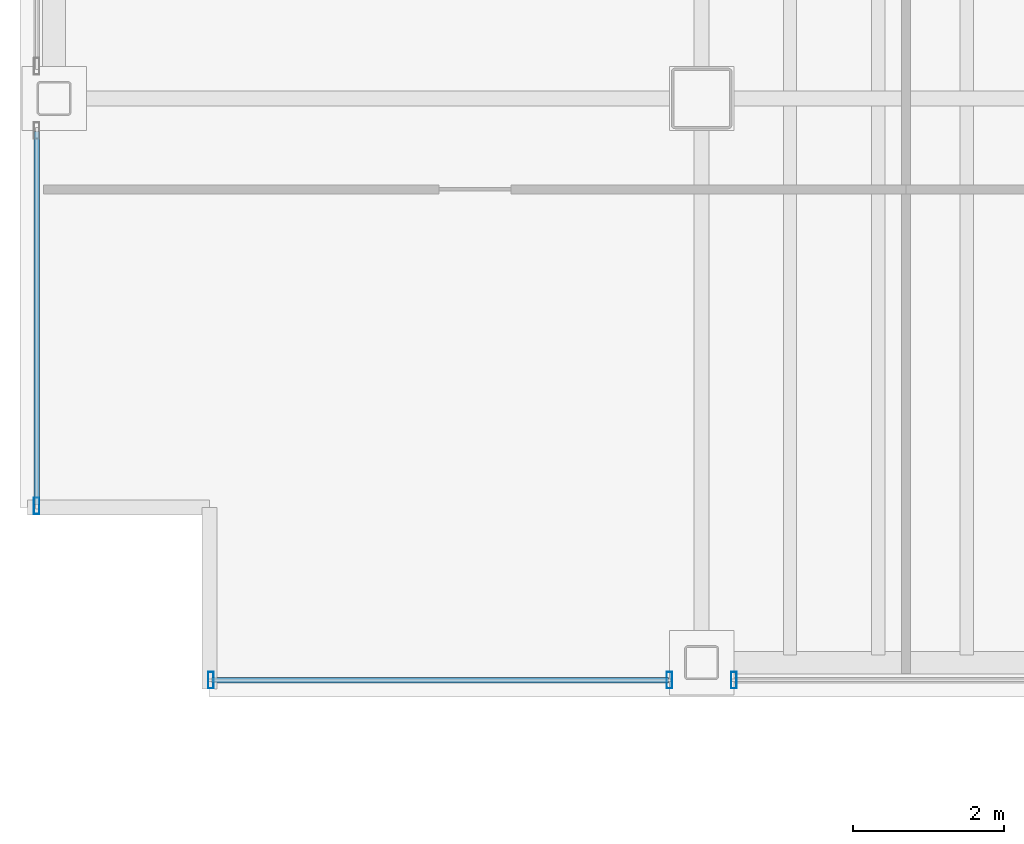
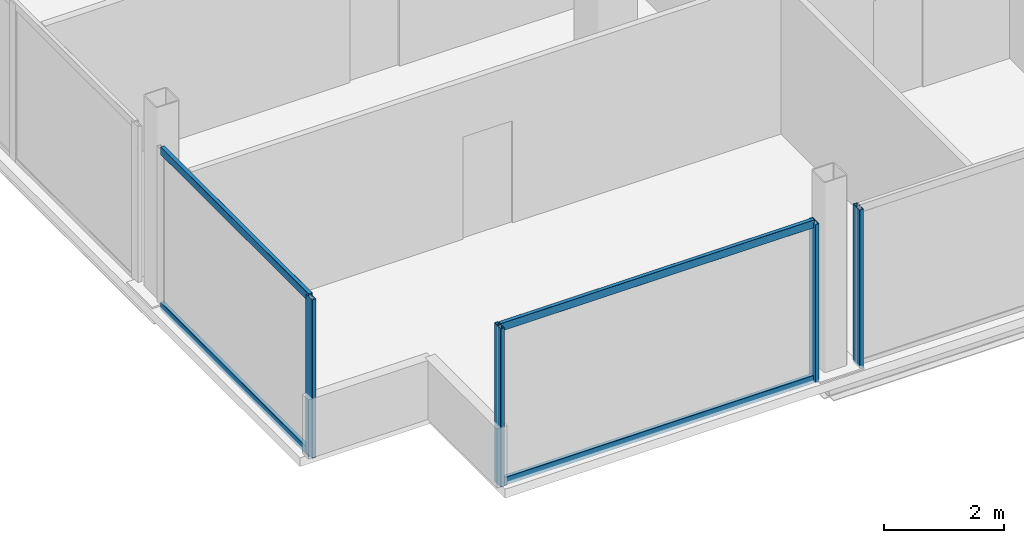
# One storey, part 2 of 17: 8 members, 3 elements without a shape of their own.
"""IFC4 building model written with IfcOpenShell, lengths in metres."""

from ifc_helpers import new_model, si_unit, direction, frame, origin, origin_2d, place, context, subcontext, project, spatial, hollow_rectangle, extrude, material, material_profile, profile_set, type_object, element, aggregate, save


model = new_model("IFC4")

# Units and contexts
model_context = context("Model", 3, precision=1e-05, world=origin(), true_north=direction((0.0, 1.0)))
body_context = subcontext(model_context, "Body", "Model", "MODEL_VIEW")
ifc_project = project(units=[si_unit("LENGTHUNIT", "METRE"), si_unit("AREAUNIT", "SQUARE_METRE"), si_unit("VOLUMEUNIT", "CUBIC_METRE"), si_unit("PLANEANGLEUNIT", "RADIAN"), si_unit("MASSUNIT", "GRAM", prefix="KILO")], contexts=[model_context])

# Site, building, storey
site_placement = place(None, origin())
site = spatial("IfcSite", under=ifc_project, at=site_placement, CompositionType="ELEMENT")
building_placement = place(site_placement, origin())
building = spatial("IfcBuilding", under=site, at=building_placement, Name="Noeulbin Bourse Tower", CompositionType="ELEMENT")
storey_placement = place(building_placement, frame((0.0, 0.0, 242.300048828125)))
storey = spatial("IfcBuildingStorey", under=building, at=storey_placement, Name="L60", CompositionType="ELEMENT", Elevation=242.300048828125)

# Curtain wall, members
ifc_material_1 = material(Name="High-Selectivity Low-Iron Glazing", Category="glass")
curtain_wall_type = type_object("IfcCurtainWallType", Name="CW-SYS-4", PredefinedType="NOTDEFINED", material=ifc_material_1)
curtain_wall_1_placement = place(storey_placement, origin())
curtain_wall_1 = element("IfcCurtainWall", 1, at=curtain_wall_1_placement, inside=storey, type_object=curtain_wall_type, Name="Unitised Curtain Wall CW-L60-S1-S1", PredefinedType="NOTDEFINED")
ifc_material_2 = material(Name="Anodised Aluminium 6063-T6", Category="aluminium")
ifc_material_profile_1 = material_profile(ifc_material_2, hollow_rectangle(XDim=0.074951171875, YDim=0.219970703125, WallThickness=0.0048828125, InnerFilletRadius=0.00244140625, OuterFilletRadius=0.0048828125, at=origin_2d()), Name="ALU-MULL-75x220x5", Category="LoadBearing")
ifc_profile_set_1 = profile_set([ifc_material_profile_1], Name="Anodised Aluminium 6063-T6")
member_type_1 = type_object("IfcMemberType", Name="CW-SYS-4-MUL", PredefinedType="MULLION", material=ifc_profile_set_1)
member_1_placement = place(storey_placement, frame((7.02001953125, 12.320068359375, -0.02001953125), z_axis=(0.0, 0.0, 1.0), x_axis=(1.0, 0.0, 0.0)))
member_1 = element("IfcMember", 2, at=member_1_placement, type_object=member_type_1, Name="Curtain Wall Mullion CW-L60-S1-S1-M00", PredefinedType="MULLION", context=body_context, shape_type="SweptSolid", body=[
    extrude(hollow_rectangle(XDim=0.074951171875, YDim=0.219970703125, WallThickness=0.0048828125, InnerFilletRadius=0.00244140625, OuterFilletRadius=0.0048828125, at=origin_2d()), origin(), (0.0, 0.0, 1.0), 3.219970703125),
])
member_2_placement = place(storey_placement, frame((13.074951171875, 12.320068359375, -0.02001953125), z_axis=(0.0, 0.0, 1.0), x_axis=(1.0, 0.0, 0.0)))
member_2 = element("IfcMember", 3, at=member_2_placement, type_object=member_type_1, Name="Curtain Wall Mullion CW-L60-S1-S1-M01", PredefinedType="MULLION", context=body_context, shape_type="SweptSolid", body=[
    extrude(hollow_rectangle(XDim=0.074951171875, YDim=0.219970703125, WallThickness=0.0048828125, InnerFilletRadius=0.00244140625, OuterFilletRadius=0.0048828125, at=origin_2d()), origin(), (0.0, 0.0, 1.0), 3.219970703125),
])

# Curtain wall, member
curtain_wall_2_placement = place(storey_placement, origin())
curtain_wall_2 = element("IfcCurtainWall", 4, at=curtain_wall_2_placement, inside=storey, type_object=curtain_wall_type, Name="Unitised Curtain Wall CW-L60-S1-S2", PredefinedType="NOTDEFINED")
member_3_placement = place(storey_placement, frame((13.925048828125, 12.320068359375, -0.02001953125), z_axis=(0.0, 0.0, 1.0), x_axis=(1.0, 0.0, 0.0)))
member_3 = element("IfcMember", 5, at=member_3_placement, type_object=member_type_1, Name="Curtain Wall Mullion CW-L60-S1-S2-M00", PredefinedType="MULLION", context=body_context, shape_type="SweptSolid", body=[
    extrude(hollow_rectangle(XDim=0.074951171875, YDim=0.219970703125, WallThickness=0.0048828125, InnerFilletRadius=0.00244140625, OuterFilletRadius=0.0048828125, at=origin_2d()), origin(), (0.0, 0.0, 1.0), 3.219970703125),
])
aggregate(curtain_wall_2, [member_3])

curtain_wall_3_placement = place(storey_placement, origin())
curtain_wall_3 = element("IfcCurtainWall", 6, at=curtain_wall_3_placement, inside=storey, type_object=curtain_wall_type, Name="Unitised Curtain Wall CW-L60-W-S1", PredefinedType="NOTDEFINED")
member_4_placement = place(storey_placement, frame((4.719970703125, 14.6201171875, -0.02001953125), z_axis=(0.0, 0.0, 1.0), x_axis=(1.0, 0.0, 0.0)))
member_4 = element("IfcMember", 7, at=member_4_placement, type_object=member_type_1, Name="Curtain Wall Mullion CW-L60-W-S1-M00", PredefinedType="MULLION", context=body_context, shape_type="SweptSolid", body=[
    extrude(hollow_rectangle(XDim=0.074951171875, YDim=0.219970703125, WallThickness=0.0048828125, InnerFilletRadius=0.00244140625, OuterFilletRadius=0.0048828125, at=origin_2d()), origin(), (0.0, 0.0, 1.0), 3.219970703125),
])

# Member
ifc_material_profile_2 = material_profile(ifc_material_2, hollow_rectangle(XDim=0.074951171875, YDim=0.159912109375, WallThickness=0.0048828125, InnerFilletRadius=0.00244140625, OuterFilletRadius=0.0048828125, at=origin_2d()), Name="ALU-TRAN-75x160x5", Category="LoadBearing")
ifc_profile_set_2 = profile_set([ifc_material_profile_2], Name="Anodised Aluminium 6063-T6")
member_type_2 = type_object("IfcMemberType", Name="CW-SYS-4-TRN", PredefinedType="USERDEFINED", material=ifc_profile_set_2)
member_5_placement = place(storey_placement, frame((7.030029296875, 12.320068359375, 0.010009765625), z_axis=(1.0, 0.0, 0.0), x_axis=(0.0, 1.0, 0.0)))
member_5 = element("IfcMember", 8, at=member_5_placement, type_object=member_type_2, Name="Curtain Wall Transom CW-L60-S1-S1-T00", ObjectType="TRANSOM", PredefinedType="USERDEFINED", context=body_context, shape_type="SweptSolid", body=[
    extrude(hollow_rectangle(XDim=0.074951171875, YDim=0.159912109375, WallThickness=0.0048828125, InnerFilletRadius=0.00244140625, OuterFilletRadius=0.0048828125, at=origin_2d()), origin(), (0.0, 0.0, 1.0), 6.034912109375),
])

member_6_placement = place(storey_placement, frame((7.030029296875, 12.320068359375, 3.169921875), z_axis=(1.0, 0.0, 0.0), x_axis=(0.0, 1.0, 0.0)))
member_6 = element("IfcMember", 9, at=member_6_placement, type_object=member_type_2, Name="Curtain Wall Transom CW-L60-S1-S1-T01", ObjectType="TRANSOM", PredefinedType="USERDEFINED", context=body_context, shape_type="SweptSolid", body=[
    extrude(hollow_rectangle(XDim=0.074951171875, YDim=0.159912109375, WallThickness=0.0048828125, InnerFilletRadius=0.00244140625, OuterFilletRadius=0.0048828125, at=origin_2d()), origin(), (0.0, 0.0, 1.0), 6.034912109375),
])

aggregate(curtain_wall_1, [member_1, member_2, member_5, member_6])

member_7_placement = place(storey_placement, frame((4.719970703125, 14.6298828125, 0.010009765625), z_axis=(0.0, 1.0, 0.0), x_axis=(-1.0, 0.0, 0.0)))
member_7 = element("IfcMember", 10, at=member_7_placement, type_object=member_type_2, Name="Curtain Wall Transom CW-L60-W-S1-T00", ObjectType="TRANSOM", PredefinedType="USERDEFINED", context=body_context, shape_type="SweptSolid", body=[
    extrude(hollow_rectangle(XDim=0.074951171875, YDim=0.159912109375, WallThickness=0.0048828125, InnerFilletRadius=0.00244140625, OuterFilletRadius=0.0048828125, at=origin_2d()), origin(), (0.0, 0.0, 1.0), 4.93505859375),
])

member_8_placement = place(storey_placement, frame((4.719970703125, 14.6298828125, 3.169921875), z_axis=(0.0, 1.0, 0.0), x_axis=(-1.0, 0.0, 0.0)))
member_8 = element("IfcMember", 11, at=member_8_placement, type_object=member_type_2, Name="Curtain Wall Transom CW-L60-W-S1-T01", ObjectType="TRANSOM", PredefinedType="USERDEFINED", context=body_context, shape_type="SweptSolid", body=[
    extrude(hollow_rectangle(XDim=0.074951171875, YDim=0.159912109375, WallThickness=0.0048828125, InnerFilletRadius=0.00244140625, OuterFilletRadius=0.0048828125, at=origin_2d()), origin(), (0.0, 0.0, 1.0), 4.93505859375),
])

aggregate(curtain_wall_3, [member_4, member_7, member_8])

save(model, "model.ifc")
